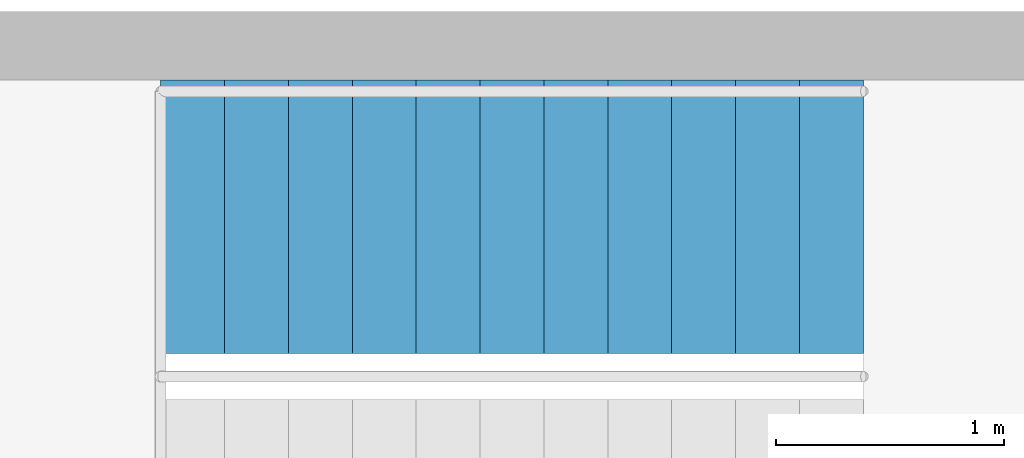
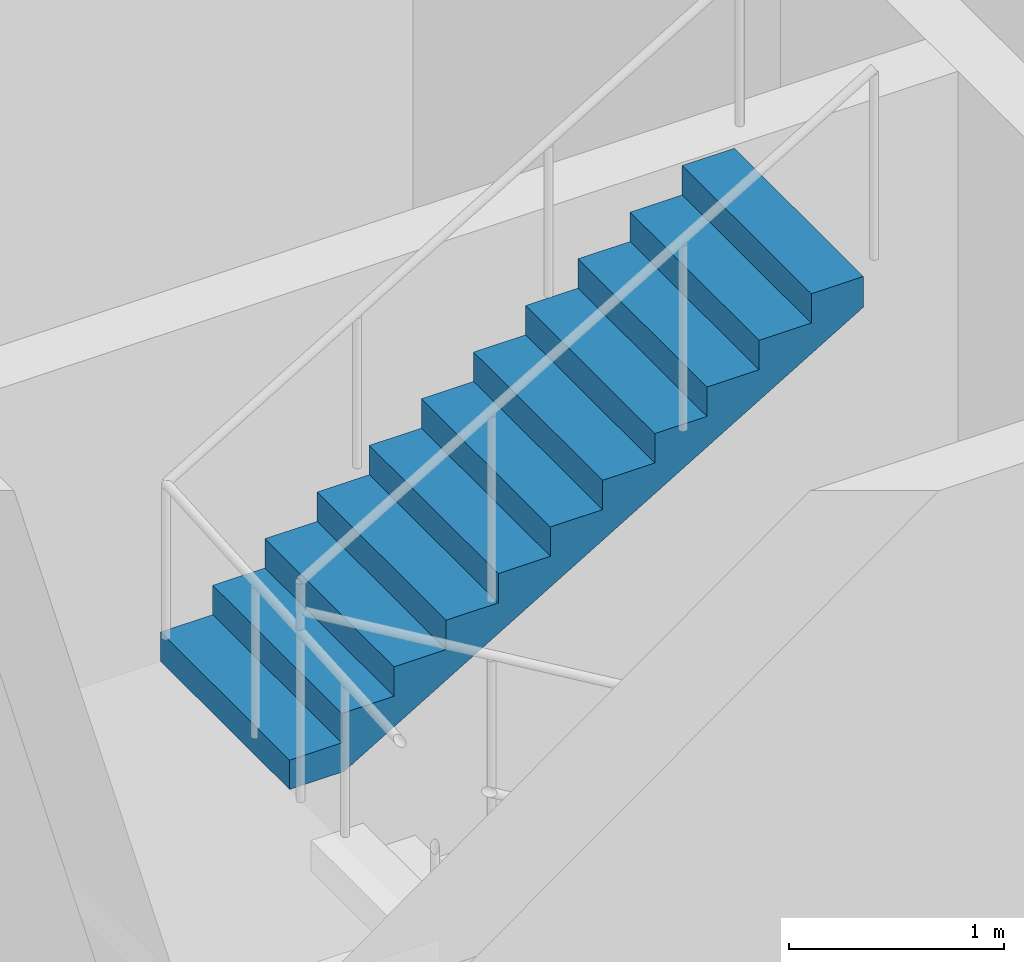
# One storey, part 6 of 13: 1 stair flight, 1 element without a shape of its own.
"""IFC4 building model written with IfcOpenShell, lengths in metres."""

from ifc_helpers import new_model, si_unit, direction, frame, origin, place, context, subcontext, project, spatial, polyline, outline, extrude, material, type_object, element, aggregate, save


model = new_model("IFC4")

# Units and contexts
model_context = context("Model", 3, precision=1e-05, world=origin(), true_north=direction((0.0, 1.0)))
body_context = subcontext(model_context, "Body", "Model", "MODEL_VIEW")
ifc_project = project(units=[si_unit("LENGTHUNIT", "METRE"), si_unit("AREAUNIT", "SQUARE_METRE"), si_unit("VOLUMEUNIT", "CUBIC_METRE"), si_unit("PLANEANGLEUNIT", "RADIAN"), si_unit("MASSUNIT", "GRAM", prefix="KILO")], contexts=[model_context])

# Site, building, storey
site_placement = place(None, origin())
site = spatial("IfcSite", under=ifc_project, at=site_placement, CompositionType="ELEMENT")
building_placement = place(site_placement, origin())
building = spatial("IfcBuilding", under=site, at=building_placement, Name="Entoto Ring Tower", CompositionType="ELEMENT")
storey_placement = place(building_placement, frame((0.0, 0.0, 172.0)))
storey = spatial("IfcBuildingStorey", under=building, at=storey_placement, Name="L39", CompositionType="ELEMENT", Elevation=172.0)

# Stair, stair flight
ifc_material_1 = material(Name="Concrete C40/50", Category="concrete")
stair_type = type_object("IfcStairType", Name="Exit stair 1200 mm dog-leg reinforced concrete", PredefinedType="HALF_TURN_STAIR", material=ifc_material_1)
stair_placement = place(storey_placement, origin())
stair = element("IfcStair", 1, at=stair_placement, inside=storey, type_object=stair_type, Name="Exit stair 1", PredefinedType="HALF_TURN_STAIR")
ifc_material_2 = material(Name="Concrete C40/50", Category="concrete")
stair_flight_type = type_object("IfcStairFlightType", Name="Stair flight 1200 mm reinforced concrete", PredefinedType="STRAIGHT", material=ifc_material_2)
stair_flight_placement = place(storey_placement, frame((96.169921875, 86.949951171875, 2.0), z_axis=(0.0, 0.0, 1.0), x_axis=(1.0, 0.0, 0.0)))
stair_flight = element("IfcStairFlight", 2, at=stair_flight_placement, type_object=stair_flight_type, Name="ST1 flight 2", NumberOfRisers=12, NumberOfTreads=11, PredefinedType="STRAIGHT", RiserHeight=0.166666667, TreadLength=0.28, context=body_context, shape_type="SweptSolid", body=[
    extrude(outline(polyline([(0.0, 0.0), (0.0, 0.166748046875), (0.280029296875, 0.166748046875), (0.280029296875, 0.333251953125), (0.56005859375, 0.333251953125), (0.56005859375, 0.5), (0.840087890625, 0.5), (0.840087890625, 0.666748046875), (1.1201171875, 0.666748046875), (1.1201171875, 0.833251953125), (1.39990234375, 0.833251953125), (1.39990234375, 1.0), (1.679931640625, 1.0), (1.679931640625, 1.166748046875), (1.9599609375, 1.166748046875), (1.9599609375, 1.333251953125), (2.239990234375, 1.333251953125), (2.239990234375, 1.5), (2.52001953125, 1.5), (2.52001953125, 1.666748046875), (2.800048828125, 1.666748046875), (2.800048828125, 1.833251953125), (3.080078125, 1.833251953125), (3.080078125, 2.0), (3.080078125, 1.658935546875), (0.29296875, 0.0), (0.0, 0.0)])), frame((0.0, 0.60009765625, 0.0), z_axis=(0.0, -1.0, 0.0), x_axis=(1.0, 0.0, 0.0)), (0.0, 0.0, 1.0), 1.199951171875),
])
aggregate(stair, [stair_flight])

save(model, "model.ifc")
